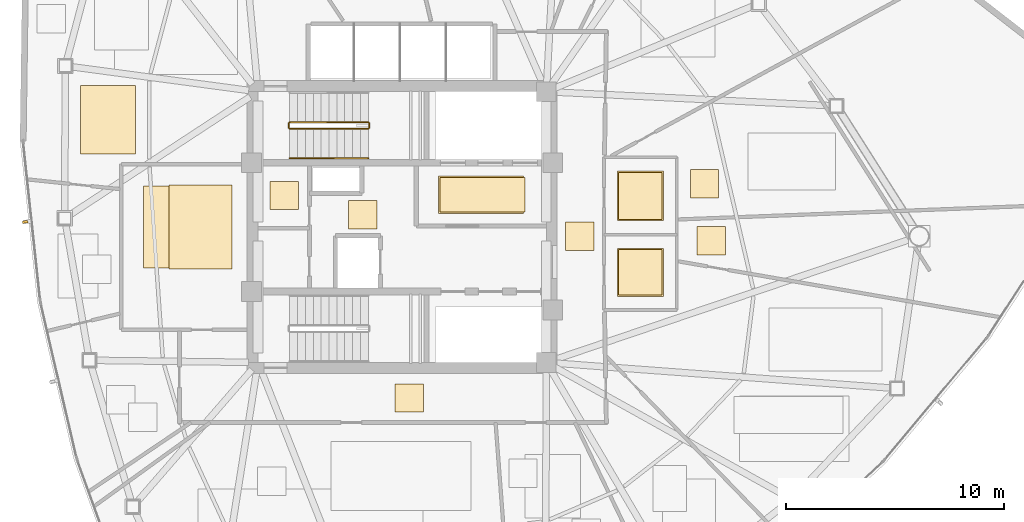
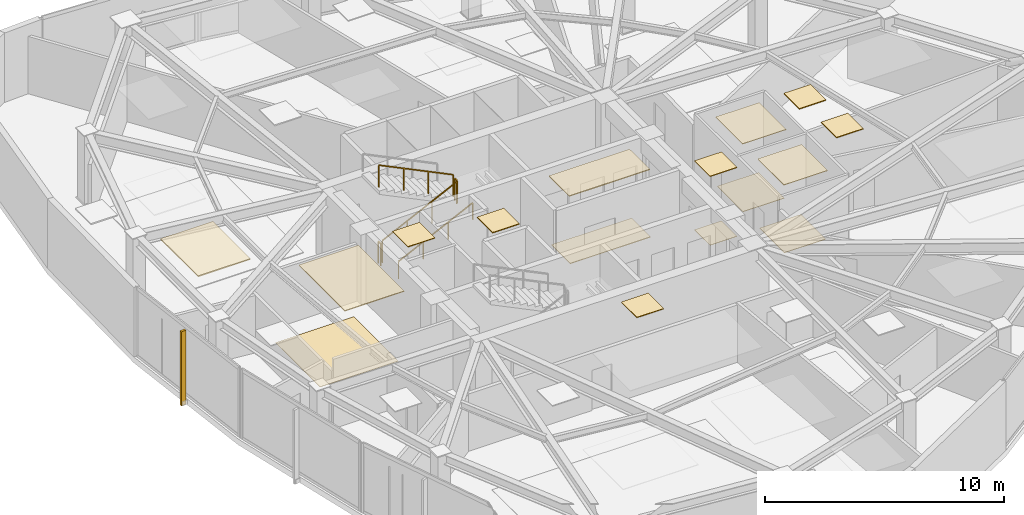
# One storey, part 15 of 17: 16 coverings, 5 railings, 1 shading device.
"""IFC4 building model written with IfcOpenShell, lengths in metres."""

from ifc_helpers import new_model, si_unit, direction, frame, origin, origin_2d, place, context, subcontext, project, spatial, polyline, rectangle, outline, extrude, source, transform, mapped, material, layer, layer_set, type_object, type_shapes, element, save


model = new_model("IFC4")

# Units and contexts
model_context = context("Model", 3, precision=1e-05, world=origin(), true_north=direction((0.0, 1.0)))
body_context = subcontext(model_context, "Body", "Model", "MODEL_VIEW")
ifc_project = project(units=[si_unit("LENGTHUNIT", "METRE"), si_unit("AREAUNIT", "SQUARE_METRE"), si_unit("VOLUMEUNIT", "CUBIC_METRE"), si_unit("PLANEANGLEUNIT", "RADIAN"), si_unit("MASSUNIT", "GRAM", prefix="KILO")], contexts=[model_context])

# Site, building, storey
site_placement = place(None, origin())
site = spatial("IfcSite", under=ifc_project, at=site_placement, CompositionType="ELEMENT")
building_placement = place(site_placement, origin())
building = spatial("IfcBuilding", under=site, at=building_placement, Name="Tavelor Broadcast Tower", CompositionType="ELEMENT")
storey_placement = place(building_placement, frame((0.0, 0.0, 200.300048828125)))
storey = spatial("IfcBuildingStorey", under=building, at=storey_placement, Name="L48", CompositionType="ELEMENT", Elevation=200.300048828125)

# Coverings
ifc_material_1 = material(Name="Copper-Bronze Anodized Aluminium", Category="aluminium")
ifc_layer_1 = layer(ifc_material_1, 0.044921875)
ifc_layer_set_1 = layer_set([ifc_layer_1], Name="Copper-Bronze Anodized Aluminium")
covering_type_1 = type_object("IfcCoveringType", Name="Anodised Bronze Linear Slatted Concourse Ceiling 45 mm", PredefinedType="CEILING", material=ifc_layer_set_1)
covering_1_placement = place(storey_placement, frame((0.0, 0.0, 3.5048828125)))
element("IfcCovering", 1, at=covering_1_placement, inside=storey, type_object=covering_type_1, Name="L48 Suspended Acoustic Ceiling 1992", PredefinedType="CEILING", context=body_context, shape_type="SweptSolid", body=[
    extrude(outline(polyline([(51.659912109375, 45.6318359375), (55.55712890625, 45.6318359375), (55.55712890625, 47.328125), (51.659912109375, 47.328125), (51.659912109375, 45.6318359375)])), origin(), (0.0, 0.0, 1.0), 0.045166015625),
])
covering_2_placement = place(storey_placement, frame((0.0, 0.0, 3.5048828125)))
element("IfcCovering", 2, at=covering_2_placement, inside=storey, type_object=covering_type_1, Name="L48 Suspended Acoustic Ceiling 1993", PredefinedType="CEILING", context=body_context, shape_type="SweptSolid", body=[
    extrude(outline(polyline([(47.5400390625, 44.919921875), (48.840087890625, 44.919921875), (48.840087890625, 46.219970703125), (47.5400390625, 46.219970703125), (47.5400390625, 44.919921875)])), origin(), (0.0, 0.0, 1.0), 0.045166015625),
])

# Railing
ifc_material_2 = material(Name="Steel S355", Category="steel")
railing_type_1 = type_object("IfcRailingType", Name="Continuous Brushed Stainless Handrail 900 mm", PredefinedType="HANDRAIL", material=ifc_material_2)
railing_1_placement = place(storey_placement, frame((44.85009765625, 48.14990234375, 0.175048828125)))
element("IfcRailing", 3, at=railing_1_placement, inside=storey, type_object=railing_type_1, Name="L48 ST1 stair handrail 1", PredefinedType="HANDRAIL", context=body_context, shape_type="SweptSolid", body=[
    extrude(rectangle(XDim=0.048095703125, YDim=0.048095703125, at=origin_2d()), frame((0.0, 0.0, 0.8759765625), z_axis=(0.899360859046, 0.0, 0.437207096483), x_axis=(0.0, 1.0, 0.0)), (0.0, 0.0, 1.0), 4.002685546875),
    extrude(rectangle(XDim=0.0419921875, YDim=0.0419921875, at=origin_2d()), origin(), (0.0, 0.0, 1.0), 0.851806640625),
    extrude(rectangle(XDim=0.0419921875, YDim=0.0419921875, at=origin_2d()), frame((1.199951171875, 0.0, 0.583251953125)), (0.0, 0.0, 1.0), 0.851806640625),
    extrude(rectangle(XDim=0.0419921875, YDim=0.0419921875, at=origin_2d()), frame((2.39990234375, 0.0, 1.166748046875)), (0.0, 0.0, 1.0), 0.851806640625),
    extrude(rectangle(XDim=0.0419921875, YDim=0.0419921875, at=origin_2d()), frame((3.599853515625, 0.0, 1.75)), (0.0, 0.0, 1.0), 0.851806640625),
])

# Coverings
ifc_material_3 = material(Name="Architectural Anodized Aluminium", Category="aluminium")
ifc_layer_2 = layer(ifc_material_3, 0.034912109375)
ifc_layer_set_2 = layer_set([ifc_layer_2], Name="Architectural Anodized Aluminium")
covering_type_2 = type_object("IfcCoveringType", Name="Demountable Metal Tile Corridor Ceiling 35 mm", PredefinedType="CEILING", material=ifc_layer_set_2)
covering_3_placement = place(storey_placement, frame((0.0, 0.0, 3.514892578125)))
element("IfcCovering", 4, at=covering_3_placement, inside=storey, type_object=covering_type_2, Name="L48 Suspended Acoustic Ceiling 1995", PredefinedType="CEILING", context=body_context, shape_type="SweptSolid", body=[
    extrude(outline(polyline([(57.489990234375, 43.925048828125), (58.7900390625, 43.925048828125), (58.7900390625, 45.22509765625), (57.489990234375, 45.22509765625), (57.489990234375, 43.925048828125)])), origin(), (0.0, 0.0, 1.0), 0.03515625),
])
covering_4_placement = place(storey_placement, frame((0.0, 0.0, 3.514892578125)))
element("IfcCovering", 5, at=covering_4_placement, inside=storey, type_object=covering_type_2, Name="L48 Suspended Acoustic Ceiling 1996", PredefinedType="CEILING", context=body_context, shape_type="SweptSolid", body=[
    extrude(outline(polyline([(49.6748046875, 36.52490234375), (50.974609375, 36.52490234375), (50.974609375, 37.824951171875), (49.6748046875, 37.824951171875), (49.6748046875, 36.52490234375)])), origin(), (0.0, 0.0, 1.0), 0.03515625),
])
ifc_material_4 = material(Name="Acoustic Nylon Carpet Tile")
ifc_layer_3 = layer(ifc_material_4, 0.02001953125)
ifc_layer_set_3 = layer_set([ifc_layer_3], Name="Acoustic Nylon Carpet Tile")
covering_type_3 = type_object("IfcCoveringType", Name="Heavy-Duty Acoustic Broadcast Carpet Tile 20 mm", PredefinedType="FLOORING", material=ifc_layer_set_3)
covering_5_placement = place(storey_placement, origin())
element("IfcCovering", 6, at=covering_5_placement, inside=storey, type_object=covering_type_3, Name="L48 Broadcast Floor Finish 0726", PredefinedType="FLOORING", context=body_context, shape_type="SweptSolid", body=[
    extrude(outline(polyline([(57.489990234375, 43.925048828125), (58.7900390625, 43.925048828125), (58.7900390625, 45.22509765625), (57.489990234375, 45.22509765625), (57.489990234375, 43.925048828125)])), origin(), (0.0, 0.0, 1.0), 0.02001953125),
])
covering_6_placement = place(storey_placement, origin())
element("IfcCovering", 7, at=covering_6_placement, inside=storey, type_object=covering_type_3, Name="L48 Broadcast Floor Finish 0727", PredefinedType="FLOORING", context=body_context, shape_type="SweptSolid", body=[
    extrude(outline(polyline([(38.15771484375, 43.12890625), (41.942138671875, 43.12890625), (41.942138671875, 46.87060546875), (38.15771484375, 46.87060546875), (38.15771484375, 43.12890625)])), origin(), (0.0, 0.0, 1.0), 0.02001953125),
])
ifc_material_5 = material(Name="Honed Natural Limestone Tile", Category="masonry")
ifc_layer_4 = layer(ifc_material_5, 0.030029296875)
ifc_layer_set_4 = layer_set([ifc_layer_4], Name="Honed Natural Limestone Tile")
covering_type_4 = type_object("IfcCoveringType", Name="Honed Jerusalem Limestone Concourse Flooring 30 mm", PredefinedType="FLOORING", material=ifc_layer_set_4)
covering_7_placement = place(storey_placement, origin())
element("IfcCovering", 8, at=covering_7_placement, inside=storey, type_object=covering_type_4, Name="L48 Broadcast Floor Finish 0725", PredefinedType="FLOORING", context=body_context, shape_type="SweptSolid", body=[
    extrude(outline(polyline([(51.7373046875, 45.689453125), (55.62255859375, 45.689453125), (55.62255859375, 47.2705078125), (51.7373046875, 47.2705078125), (51.7373046875, 45.689453125)])), origin(), (0.0, 0.0, 1.0), 0.030029296875),
])
ifc_material_6 = material(Name="Acoustic Perforated Timber Baffle", Category="wood")
ifc_layer_5 = layer(ifc_material_6, 0.054931640625)
ifc_layer_set_5 = layer_set([ifc_layer_5], Name="Acoustic Perforated Timber Baffle")
covering_type_5 = type_object("IfcCoveringType", Name="Micro-Perforated Acoustic Baffle Studio Ceiling 55 mm", PredefinedType="CEILING", material=ifc_layer_set_5)
covering_8_placement = place(storey_placement, frame((0.0, 0.0, 3.494873046875)))
element("IfcCovering", 9, at=covering_8_placement, inside=storey, type_object=covering_type_5, Name="L48 Suspended Acoustic Ceiling 2015", PredefinedType="CEILING", context=body_context, shape_type="SweptSolid", body=[
    extrude(outline(polyline([(35.262451171875, 48.34326171875), (37.79638671875, 48.34326171875), (37.79638671875, 51.48876953125), (35.262451171875, 51.48876953125), (35.262451171875, 48.34326171875)])), origin(), (0.0, 0.0, 1.0), 0.05517578125),
])
ifc_layer_6 = layer(ifc_material_3, 0.030029296875)
ifc_layer_set_6 = layer_set([ifc_layer_6], Name="Architectural Anodized Aluminium")
covering_type_6 = type_object("IfcCoveringType", Name="Moisture-Resistant Washroom Ceiling 30 mm", PredefinedType="CEILING", material=ifc_layer_set_6)
covering_9_placement = place(storey_placement, frame((0.0, 0.0, 3.52001953125)))
element("IfcCovering", 10, at=covering_9_placement, inside=storey, type_object=covering_type_6, Name="L48 Suspended Acoustic Ceiling 1998", PredefinedType="CEILING", context=body_context, shape_type="SweptSolid", body=[
    extrude(outline(polyline([(59.85302734375, 41.828369140625), (61.967041015625, 41.828369140625), (61.967041015625, 44.021484375), (59.85302734375, 44.021484375), (59.85302734375, 41.828369140625)])), origin(), (0.0, 0.0, 1.0), 0.030029296875),
])
covering_10_placement = place(storey_placement, frame((0.0, 0.0, 3.52001953125)))
element("IfcCovering", 11, at=covering_10_placement, inside=storey, type_object=covering_type_6, Name="L48 Suspended Acoustic Ceiling 1999", PredefinedType="CEILING", context=body_context, shape_type="SweptSolid", body=[
    extrude(outline(polyline([(59.85302734375, 45.29248046875), (61.967041015625, 45.29248046875), (61.967041015625, 47.5576171875), (59.85302734375, 47.5576171875), (59.85302734375, 45.29248046875)])), origin(), (0.0, 0.0, 1.0), 0.030029296875),
])
ifc_material_7 = material(Name="Slip-Resistant Porcelain Tile")
ifc_layer_7 = layer(ifc_material_7, 0.02490234375)
ifc_layer_set_7 = layer_set([ifc_layer_7], Name="Slip-Resistant Porcelain Tile")
covering_type_7 = type_object("IfcCoveringType", Name="Slip-Resistant Porcelain Wet-Area Floor Tile 25 mm", PredefinedType="FLOORING", material=ifc_layer_set_7)
covering_11_placement = place(storey_placement, origin())
element("IfcCovering", 12, at=covering_11_placement, inside=storey, type_object=covering_type_7, Name="L48 Broadcast Floor Finish 0728", PredefinedType="FLOORING", context=body_context, shape_type="SweptSolid", body=[
    extrude(outline(polyline([(59.91064453125, 41.885986328125), (61.909423828125, 41.885986328125), (61.909423828125, 43.964111328125), (59.91064453125, 43.964111328125), (59.91064453125, 41.885986328125)])), origin(), (0.0, 0.0, 1.0), 0.02490234375),
])
covering_12_placement = place(storey_placement, origin())
element("IfcCovering", 13, at=covering_12_placement, inside=storey, type_object=covering_type_7, Name="L48 Broadcast Floor Finish 0729", PredefinedType="FLOORING", context=body_context, shape_type="SweptSolid", body=[
    extrude(outline(polyline([(59.91064453125, 45.35009765625), (61.909423828125, 45.35009765625), (61.909423828125, 47.5), (59.91064453125, 47.5), (59.91064453125, 45.35009765625)])), origin(), (0.0, 0.0, 1.0), 0.02490234375),
])

# Railings
railing_type_2 = type_object("IfcRailingType", Name="Stairwell Steel Safety Guardrail 1150 mm", PredefinedType="GUARDRAIL", material=ifc_material_2)
railing_2_placement = place(storey_placement, frame((44.85009765625, 49.5, 0.175048828125)))
element("IfcRailing", 14, at=railing_2_placement, inside=storey, type_object=railing_type_2, Name="L48 ST1 stair guard 1", PredefinedType="GUARDRAIL", context=body_context, shape_type="SweptSolid", body=[
    extrude(rectangle(XDim=0.048095703125, YDim=0.048095703125, at=origin_2d()), frame((0.0, 0.0, 1.1259765625), z_axis=(0.899360859046, 0.0, 0.437207096483), x_axis=(0.0, 1.0, 0.0)), (0.0, 0.0, 1.0), 4.002685546875),
    extrude(rectangle(XDim=0.0419921875, YDim=0.0419921875, at=origin_2d()), origin(), (0.0, 0.0, 1.0), 1.101806640625),
    extrude(rectangle(XDim=0.0419921875, YDim=0.0419921875, at=origin_2d()), frame((1.199951171875, 0.0, 0.583251953125)), (0.0, 0.0, 1.0), 1.101806640625),
    extrude(rectangle(XDim=0.0419921875, YDim=0.0419921875, at=origin_2d()), frame((2.39990234375, 0.0, 1.166748046875)), (0.0, 0.0, 1.0), 1.101806640625),
    extrude(rectangle(XDim=0.0419921875, YDim=0.0419921875, at=origin_2d()), frame((3.599853515625, 0.0, 1.75)), (0.0, 0.0, 1.0), 1.101806640625),
])
railing_3_placement = place(storey_placement, frame((48.5, 49.550048828125, 1.925048828125)))
element("IfcRailing", 15, at=railing_3_placement, inside=storey, type_object=railing_type_2, Name="L48 ST1 stair guard 2", PredefinedType="GUARDRAIL", context=body_context, shape_type="SweptSolid", body=[
    extrude(rectangle(XDim=0.048095703125, YDim=0.048095703125, at=origin_2d()), frame((0.0, 0.0, 1.1259765625), z_axis=(0.0, 1.0, 0.0), x_axis=(-1.0, 0.0, 0.0)), (0.0, 0.0, 1.0), 0.199951171875),
    extrude(rectangle(XDim=0.0419921875, YDim=0.0419921875, at=origin_2d()), origin(), (0.0, 0.0, 1.0), 1.101806640625),
    extrude(rectangle(XDim=0.0419921875, YDim=0.0419921875, at=origin_2d()), frame((0.0, 0.199951171875, 0.0)), (0.0, 0.0, 1.0), 1.101806640625),
])
railing_4_placement = place(storey_placement, frame((48.449951171875, 49.800048828125, 2.099853515625)))
element("IfcRailing", 16, at=railing_4_placement, inside=storey, type_object=railing_type_2, Name="L48 ST1 stair guard 3", PredefinedType="GUARDRAIL", context=body_context, shape_type="SweptSolid", body=[
    extrude(rectangle(XDim=0.048095703125, YDim=0.048095703125, at=origin_2d()), frame((0.0, 0.0, 1.1259765625), z_axis=(-0.899360859046, 0.0, 0.437207096483), x_axis=(0.0, -1.0, 0.0)), (0.0, 0.0, 1.0), 4.002685546875),
    extrude(rectangle(XDim=0.0419921875, YDim=0.0419921875, at=origin_2d()), origin(), (0.0, 0.0, 1.0), 1.101806640625),
    extrude(rectangle(XDim=0.0419921875, YDim=0.0419921875, at=origin_2d()), frame((-1.199951171875, 0.0, 0.583251953125)), (0.0, 0.0, 1.0), 1.101806640625),
    extrude(rectangle(XDim=0.0419921875, YDim=0.0419921875, at=origin_2d()), frame((-2.39990234375, 0.0, 1.166748046875)), (0.0, 0.0, 1.0), 1.101806640625),
    extrude(rectangle(XDim=0.0419921875, YDim=0.0419921875, at=origin_2d()), frame((-3.599853515625, 0.0, 1.75)), (0.0, 0.0, 1.0), 1.101806640625),
])
railing_5_placement = place(storey_placement, frame((44.800048828125, 49.550048828125, 0.0)))
element("IfcRailing", 17, at=railing_5_placement, inside=storey, type_object=railing_type_2, Name="L48 ST1 stair guard 4", PredefinedType="GUARDRAIL", context=body_context, shape_type="SweptSolid", body=[
    extrude(rectangle(XDim=0.048095703125, YDim=0.048095703125, at=origin_2d()), frame((0.0, 0.0, 1.1259765625), z_axis=(0.0, 1.0, 0.0), x_axis=(-1.0, 0.0, 0.0)), (0.0, 0.0, 1.0), 0.199951171875),
    extrude(rectangle(XDim=0.0419921875, YDim=0.0419921875, at=origin_2d()), origin(), (0.0, 0.0, 1.0), 1.101806640625),
    extrude(rectangle(XDim=0.0419921875, YDim=0.0419921875, at=origin_2d()), frame((0.0, 0.199951171875, 0.0)), (0.0, 0.0, 1.0), 1.101806640625),
])

# Coverings
ifc_material_8 = material(Name="Acoustic Mineral Fibre Tile")
ifc_layer_8 = layer(ifc_material_8, 0.0400390625)
ifc_layer_set_8 = layer_set([ifc_layer_8], Name="Acoustic Mineral Fibre Tile")
covering_type_8 = type_object("IfcCoveringType", Name="Suspended Acoustic Mineral-Fibre Office Ceiling 40 mm", PredefinedType="CEILING", material=ifc_layer_set_8)
covering_13_placement = place(storey_placement, frame((0.0, 0.0, 3.510009765625)))
element("IfcCovering", 18, at=covering_13_placement, inside=storey, type_object=covering_type_8, Name="L48 Suspended Acoustic Ceiling 1994", PredefinedType="CEILING", context=body_context, shape_type="SweptSolid", body=[
    extrude(outline(polyline([(43.951416015625, 45.794921875), (45.25146484375, 45.794921875), (45.25146484375, 47.094970703125), (43.951416015625, 47.094970703125), (43.951416015625, 45.794921875)])), origin(), (0.0, 0.0, 1.0), 0.0400390625),
])
covering_14_placement = place(storey_placement, frame((0.0, 0.0, 3.510009765625)))
element("IfcCovering", 19, at=covering_14_placement, inside=storey, type_object=covering_type_8, Name="L48 Suspended Acoustic Ceiling 1997", PredefinedType="CEILING", context=body_context, shape_type="SweptSolid", body=[
    extrude(outline(polyline([(39.321533203125, 43.0712890625), (42.198486328125, 43.0712890625), (42.198486328125, 46.927978515625), (39.321533203125, 46.927978515625), (39.321533203125, 43.0712890625)])), origin(), (0.0, 0.0, 1.0), 0.0400390625),
])
covering_15_placement = place(storey_placement, frame((0.0, 0.0, 3.510009765625)))
element("IfcCovering", 20, at=covering_15_placement, inside=storey, type_object=covering_type_8, Name="L48 Suspended Acoustic Ceiling 2000", PredefinedType="CEILING", context=body_context, shape_type="SweptSolid", body=[
    extrude(outline(polyline([(63.49609375, 43.7255859375), (64.796142578125, 43.7255859375), (64.796142578125, 45.025390625), (63.49609375, 45.025390625), (63.49609375, 43.7255859375)])), origin(), (0.0, 0.0, 1.0), 0.0400390625),
])
covering_16_placement = place(storey_placement, frame((0.0, 0.0, 3.510009765625)))
element("IfcCovering", 21, at=covering_16_placement, inside=storey, type_object=covering_type_8, Name="L48 Suspended Acoustic Ceiling 2026", PredefinedType="CEILING", context=body_context, shape_type="SweptSolid", body=[
    extrude(outline(polyline([(63.194580078125, 46.3291015625), (64.49462890625, 46.3291015625), (64.49462890625, 47.62890625), (63.194580078125, 47.62890625), (63.194580078125, 46.3291015625)])), origin(), (0.0, 0.0, 1.0), 0.0400390625),
])

# Shading device
ifc_material_9 = material(Name="Kiln-Fired Glazed Terracotta", Category="masonry")
shading_device_type = type_object("IfcShadingDeviceType", Name="Extruded Terracotta Baguette Sun-Screen 110x240", PredefinedType="JALOUSIE", material=ifc_material_9)
shared_shape = source(origin(), body_context, "Body", "SweptSolid", [
    extrude(rectangle(XDim=0.110107421875, YDim=0.239990234375, at=origin_2d()), origin(), (0.0, 0.0, 1.0), 3.7900390625),
])
type_shapes(shading_device_type, [shared_shape])
shading_device_placement = place(storey_placement, frame((32.73681640625, 45.23681640625, -0.260009765625), z_axis=(0.0, 0.0, 1.0), x_axis=(0.106611154275, -0.994300790397, 0.0)))
element("IfcShadingDevice", 22, at=shading_device_placement, inside=storey, type_object=shading_device_type, Name="L48 Terracotta Baguette Fin 505", PredefinedType="JALOUSIE", context=body_context, shape_type="MappedRepresentation", body=[
    mapped(shared_shape, transform((0.0, 0.0, 0.0), scale=1.0)),
])

save(model, "model.ifc")
